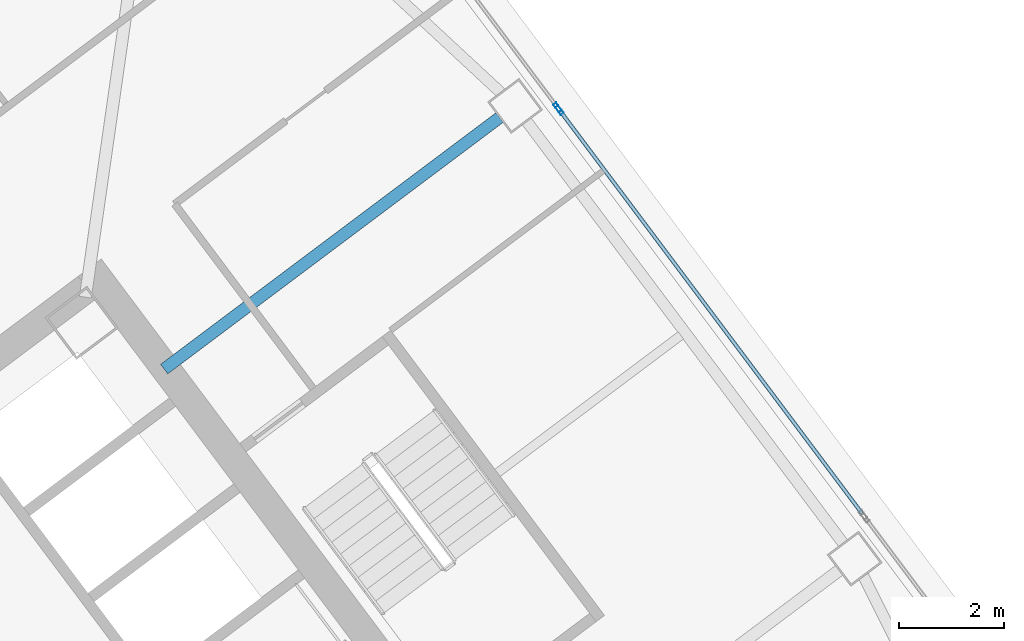
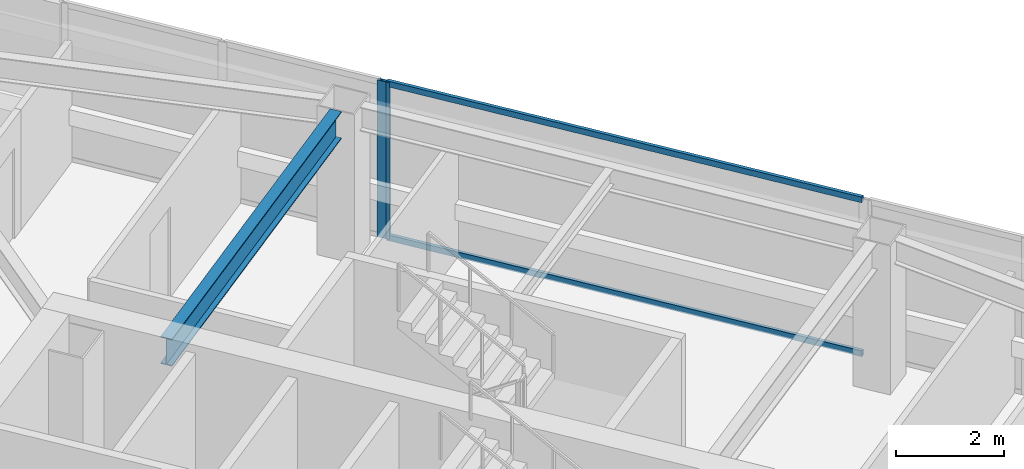
# One storey, part 29 of 43: 4 members, 1 beam, 2 elements without a shape of their own.
"""IFC4 building model written with IfcOpenShell, lengths in metres."""

from ifc_helpers import new_model, si_unit, direction, frame, origin, origin_2d, place, context, subcontext, project, spatial, hollow_rectangle, i_section, extrude, material, material_profile, profile_set, type_object, element, aggregate, save


model = new_model("IFC4")

# Units and contexts
model_context = context("Model", 3, precision=1e-05, world=origin(), true_north=direction((0.0, 1.0)))
body_context = subcontext(model_context, "Body", "Model", "MODEL_VIEW")
ifc_project = project(units=[si_unit("LENGTHUNIT", "METRE"), si_unit("AREAUNIT", "SQUARE_METRE"), si_unit("VOLUMEUNIT", "CUBIC_METRE"), si_unit("PLANEANGLEUNIT", "RADIAN"), si_unit("MASSUNIT", "GRAM", prefix="KILO")], contexts=[model_context])

# Site, building, storey
site_placement = place(None, origin())
site = spatial("IfcSite", under=ifc_project, at=site_placement, CompositionType="ELEMENT")
building_placement = place(site_placement, origin())
building = spatial("IfcBuilding", under=site, at=building_placement, Name="Tashvorn Skyway Center", CompositionType="ELEMENT")
storey_placement = place(building_placement, frame((0.0, 0.0, 160.550048828125)))
storey = spatial("IfcBuildingStorey", under=building, at=storey_placement, Name="L43", CompositionType="ELEMENT", Elevation=160.550048828125)

# Beam
ifc_material_1 = material(Name="Steel ASTM A992 Grade 50", Category="steel")
ifc_material_profile_1 = material_profile(ifc_material_1, i_section(OverallWidth=0.22998046875, OverallDepth=0.616943359375, WebThickness=0.01318359375, FlangeThickness=0.022216796875, at=origin_2d()), Name="W24X94")
ifc_profile_set_1 = profile_set([ifc_material_profile_1], Name="Steel ASTM A992 Grade 50")
beam_type = type_object("IfcBeamType", Name="BM-BEAM-W24X94", PredefinedType="BEAM", material=ifc_profile_set_1)
beam_placement = place(storey_placement, frame((123.384033203125, 45.7880859375, 3.0615234375), z_axis=(-0.800003662027, -0.599995117266, 0.0), x_axis=(0.599995117266, -0.800003662027, 0.0)))
element("IfcBeam", 1, at=beam_placement, inside=storey, type_object=beam_type, Name="Tower 2 L43 Primary Floor Girder FC-E2", PredefinedType="BEAM", context=body_context, shape_type="SweptSolid", body=[
    extrude(i_section(OverallWidth=0.22998046875, OverallDepth=0.616943359375, WebThickness=0.01318359375, FlangeThickness=0.022216796875, at=origin_2d()), origin(), (0.0, 0.0, 1.0), 8.000244140625),
])

# Curtain wall, member
ifc_material_2 = material(Name="Thermally broken bronze-anodized aluminium 6063-T6", Category="aluminium")
curtain_wall_type = type_object("IfcCurtainWallType", Name="CW-CW-Z4", PredefinedType="NOTDEFINED", material=ifc_material_2)
curtain_wall_1_placement = place(storey_placement, origin())
curtain_wall_1 = element("IfcCurtainWall", 2, at=curtain_wall_1_placement, inside=storey, type_object=curtain_wall_type, Name="Tower 2 L43 East Unitised Curtain Wall Glazing Group 1", PredefinedType="NOTDEFINED")
ifc_material_profile_2 = material_profile(ifc_material_2, hollow_rectangle(XDim=0.070068359375, YDim=0.179931640625, WallThickness=0.00390625, at=origin_2d()), Name="ALU-MULL-70x180")
ifc_profile_set_2 = profile_set([ifc_material_profile_2], Name="Thermally broken bronze-anodized aluminium 6063-T6")
member_type_1 = type_object("IfcMemberType", Name="CWM-CW-Z4", PredefinedType="MULLION", material=ifc_profile_set_2)
member_1_placement = place(storey_placement, frame((124.487060546875, 45.98388671875, 0.0), z_axis=(0.0, 0.0, 1.0), x_axis=(0.799999999998, 0.600000000002, 0.0)))
member_1 = element("IfcMember", 3, at=member_1_placement, type_object=member_type_1, Name="CW-Z4 mullion 3", PredefinedType="MULLION", context=body_context, shape_type="SweptSolid", body=[
    extrude(hollow_rectangle(XDim=0.070068359375, YDim=0.179931640625, WallThickness=0.00390625, at=origin_2d()), origin(), (0.0, 0.0, 1.0), 3.550048828125),
])
aggregate(curtain_wall_1, [member_1])

# Curtain wall, members
curtain_wall_2_placement = place(storey_placement, origin())
curtain_wall_2 = element("IfcCurtainWall", 4, at=curtain_wall_2_placement, inside=storey, type_object=curtain_wall_type, Name="Tower 2 L43 East Unitised Curtain Wall Glazing Group 2", PredefinedType="NOTDEFINED")
member_2_placement = place(storey_placement, frame((124.529052734375, 45.927978515625, 0.0), z_axis=(0.0, 0.0, 1.0), x_axis=(0.799999999998, 0.600000000002, 0.0)))
member_2 = element("IfcMember", 5, at=member_2_placement, type_object=member_type_1, Name="CW-Z4 mullion 1", PredefinedType="MULLION", context=body_context, shape_type="SweptSolid", body=[
    extrude(hollow_rectangle(XDim=0.070068359375, YDim=0.179931640625, WallThickness=0.00390625, at=origin_2d()), origin(), (0.0, 0.0, 1.0), 3.550048828125),
])
ifc_material_profile_3 = material_profile(ifc_material_2, hollow_rectangle(XDim=0.070068359375, YDim=0.1298828125, WallThickness=0.00390625, at=origin_2d()), Name="ALU-TRAN-70x130")
ifc_profile_set_3 = profile_set([ifc_material_profile_3], Name="Thermally broken bronze-anodized aluminium 6063-T6")
member_type_2 = type_object("IfcMemberType", Name="CWT-CW-Z4", PredefinedType="USERDEFINED", material=ifc_profile_set_3)
member_3_placement = place(storey_placement, frame((124.550048828125, 45.89990234375, 0.034912109375), z_axis=(0.600012232595, -0.799990825408, 0.0), x_axis=(0.799990825408, 0.600012232595, 0.0)))
member_3 = element("IfcMember", 6, at=member_3_placement, type_object=member_type_2, Name="CW-Z4 transom 1.1", ObjectType="TRANSOM", PredefinedType="USERDEFINED", context=body_context, shape_type="SweptSolid", body=[
    extrude(hollow_rectangle(XDim=0.070068359375, YDim=0.1298828125, WallThickness=0.00390625, at=origin_2d()), origin(), (0.0, 0.0, 1.0), 9.579833984375),
])
member_4_placement = place(storey_placement, frame((124.550048828125, 45.89990234375, 3.514892578125), z_axis=(0.600012232595, -0.799990825408, 0.0), x_axis=(0.799990825408, 0.600012232595, 0.0)))
member_4 = element("IfcMember", 7, at=member_4_placement, type_object=member_type_2, Name="CW-Z4 transom 1.2", ObjectType="TRANSOM", PredefinedType="USERDEFINED", context=body_context, shape_type="SweptSolid", body=[
    extrude(hollow_rectangle(XDim=0.070068359375, YDim=0.1298828125, WallThickness=0.00390625, at=origin_2d()), origin(), (0.0, 0.0, 1.0), 9.579833984375),
])
aggregate(curtain_wall_2, [member_2, member_3, member_4])

save(model, "model.ifc")
